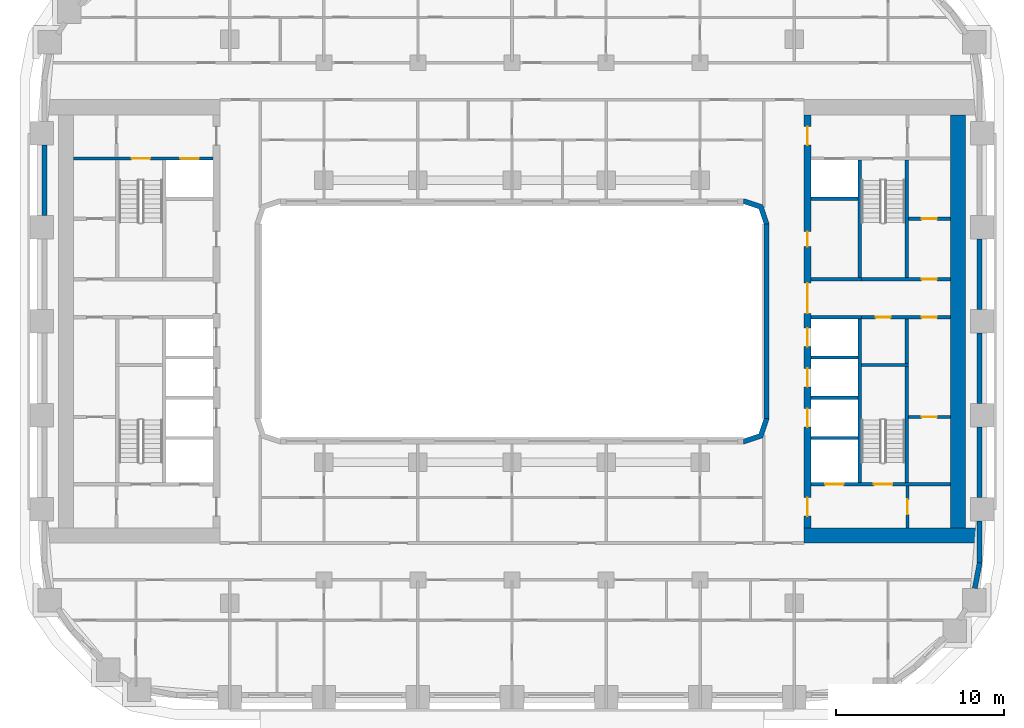
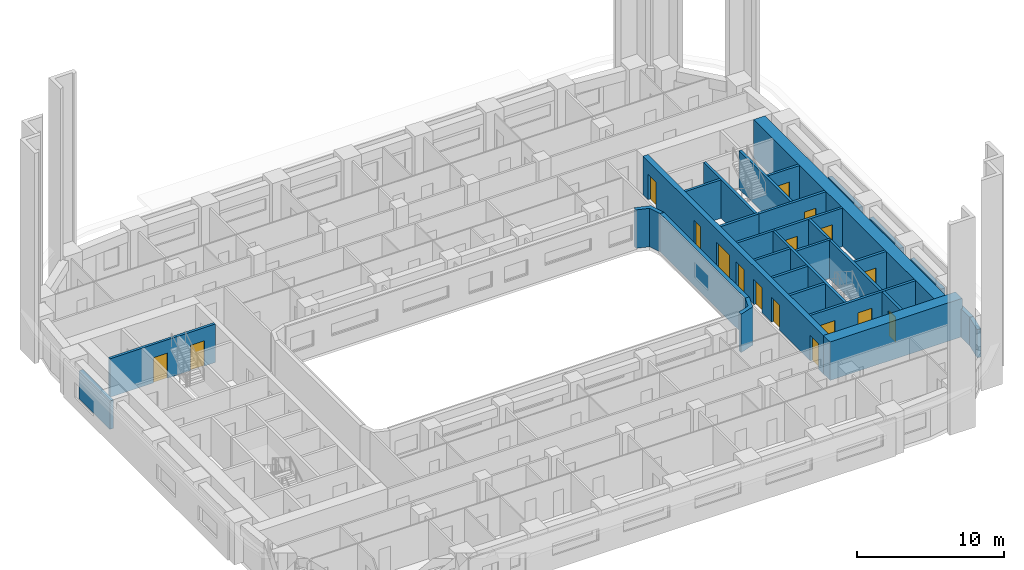
# One storey, part 6 of 22: 31 walls, 17 doors, 17 openings.
"""IFC4 building model written with IfcOpenShell, lengths in metres."""

import ifcopenshell
import ifcopenshell.guid

model = None  # the IFC model being written
_history = None  # IfcOwnerHistory: only IFC2X3 demands one
_inside = {}  # id of a spatial element -> (the spatial element, [elements in it])
_under = {}  # id of a project, library or spatial element -> (it, [spatial elements below it])
_declared = {}  # id of a project -> (the project, [libraries it declares])
_typed = {}  # id of a type object -> (the type object, [elements of that type])
_made_of = {}  # id of a material, layer set ... -> (it, [elements and type objects made of it])


def new_model(schema):
    """Start an empty IFC model of exactly this schema.

    Asked for "IFC4X3", IfcOpenShell would pick the latest addendum, in which some entities
    have other attributes; the version numbers below select the first issue.
    IFC2X3 requires an IfcOwnerHistory on every rooted entity: one is made here for all.
    """
    global model, _history
    if schema == "IFC4X3":
        model = ifcopenshell.file(schema_version=(4, 3, 0, 0))
    else:
        model = ifcopenshell.file(schema=schema)
    _inside.clear()
    _under.clear()
    _declared.clear()
    _typed.clear()
    _made_of.clear()
    _history = None
    if model.schema == "IFC2X3":
        org = make("IfcOrganization", Name="unknown")
        user = make(
            "IfcPersonAndOrganization",
            ThePerson=make("IfcPerson", FamilyName="unknown"),
            TheOrganization=org,
        )
        app = make(
            "IfcApplication",
            ApplicationDeveloper=org,
            Version="unknown",
            ApplicationFullName="unknown",
            ApplicationIdentifier="unknown",
        )
        _history = make(
            "IfcOwnerHistory",
            OwningUser=user,
            OwningApplication=app,
            ChangeAction="ADDED",
            CreationDate=0,
        )
    return model


def make(cls, **values):
    """One entity of the class cls with the attributes given. An attribute that is None is left unset."""
    return model.create_entity(
        cls, **{name: value for name, value in values.items() if value is not None}
    )


def rooted(cls, **values):
    """An entity with a GlobalId (a new one), such as an element, a storey or a relation."""
    return make(cls, GlobalId=ifcopenshell.guid.new(), OwnerHistory=_history, **values)


def si_unit(unit_type, name, prefix=None):
    """IfcSIUnit, for example si_unit("LENGTHUNIT", "METRE", prefix="MILLI")."""
    return make("IfcSIUnit", UnitType=unit_type, Prefix=prefix, Name=name)


def assignment(units):
    """IfcUnitAssignment: the units of a project."""
    return None if units is None else make("IfcUnitAssignment", Units=units)


def point(xyz):
    """IfcCartesianPoint."""
    return None if xyz is None else make("IfcCartesianPoint", Coordinates=xyz)


def direction(xyz):
    """IfcDirection."""
    return None if xyz is None else make("IfcDirection", DirectionRatios=xyz)


def frame(location, z_axis=None, x_axis=None):
    """IfcAxis2Placement3D, a coordinate frame: its origin and axes. An axis left out is left unset."""
    return make(
        "IfcAxis2Placement3D",
        Location=point(location),
        Axis=direction(z_axis),
        RefDirection=direction(x_axis),
    )


def frame_2d(location, x_axis=None):
    """IfcAxis2Placement2D, a coordinate frame in the plane: its origin and x axis."""
    return make(
        "IfcAxis2Placement2D", Location=point(location), RefDirection=direction(x_axis)
    )


def origin():
    """The frame at (0, 0, 0) with its axes left unset."""
    return frame((0.0, 0.0, 0.0))


def place(relative_to, where):
    """IfcLocalPlacement: puts the frame where relative to a parent placement (None: the world)."""
    return make(
        "IfcLocalPlacement", PlacementRelTo=relative_to, RelativePlacement=where
    )


def context(
    kind, dimensions, precision=None, world=None, true_north=None, identifier=None
):
    """IfcGeometricRepresentationContext, for example the 3D "Model" context."""
    return make(
        "IfcGeometricRepresentationContext",
        ContextIdentifier=identifier,
        ContextType=kind,
        CoordinateSpaceDimension=dimensions,
        Precision=precision,
        WorldCoordinateSystem=world,
        TrueNorth=true_north,
    )


def subcontext(parent, identifier, kind, view, scale=None):
    """IfcGeometricRepresentationSubContext, for example "Body" below "Model"."""
    return make(
        "IfcGeometricRepresentationSubContext",
        ContextIdentifier=identifier,
        ContextType=kind,
        ParentContext=parent,
        TargetScale=scale,
        TargetView=view,
    )


def project(units=None, contexts=None):
    """IfcProject with its units and contexts."""
    return rooted(
        "IfcProject",
        Name="project",
        RepresentationContexts=contexts,
        UnitsInContext=assignment(units),
    )


def spatial(cls, under=None, at=None, **own):
    """A site, building, storey or space (cls), placed at a placement, below another one or the project."""
    s = rooted(cls, ObjectPlacement=at, **own)
    if under is not None:
        _under.setdefault(under.id(), (under, []))[1].append(s)
    return s


def polyline(points):
    """IfcPolyline through the points."""
    return make("IfcPolyline", Points=[point(p) for p in points])


def profile(cls, at=None, kind="AREA", **sizes):
    """A parametric profile (cls). Its sizes go by their IFC names, for example OverallWidth=200.0."""
    return make(cls, ProfileType=kind, Position=at, **sizes)


def rectangle(**sizes):
    """IfcRectangleProfileDef."""
    return profile("IfcRectangleProfileDef", **sizes)


def outline(outer, holes=None, kind="AREA"):
    """IfcArbitraryClosedProfileDef: a profile drawn as a closed curve; with holes, ...WithVoids."""
    if holes is None:
        return make("IfcArbitraryClosedProfileDef", ProfileType=kind, OuterCurve=outer)
    return make(
        "IfcArbitraryProfileDefWithVoids",
        ProfileType=kind,
        OuterCurve=outer,
        InnerCurves=holes,
    )


def extrude(swept, where, along, depth):
    """IfcExtrudedAreaSolid: the profile swept, set in the frame where, extruded along a direction by depth."""
    return make(
        "IfcExtrudedAreaSolid",
        SweptArea=swept,
        Position=where,
        ExtrudedDirection=direction(along),
        Depth=depth,
    )


def shape(context_of_items, identifier, shape_type, items):
    """IfcShapeRepresentation: the items that make up one representation, for example the "Body"."""
    return make(
        "IfcShapeRepresentation",
        ContextOfItems=context_of_items,
        RepresentationIdentifier=identifier,
        RepresentationType=shape_type,
        Items=items,
    )


def material(Name=None, Category=None):
    """IfcMaterial."""
    return make("IfcMaterial", Name=Name, Category=Category)


def layer(
    of_material, thickness, ventilated=None, Name=None, Category=None, Priority=None
):
    """IfcMaterialLayer: one layer of a wall or slab, of a material (None: an air gap)."""
    return make(
        "IfcMaterialLayer",
        Material=of_material,
        LayerThickness=thickness,
        IsVentilated=ventilated,
        Name=Name,
        Category=Category,
        Priority=Priority,
    )


def layer_set(layers, Name=None):
    """IfcMaterialLayerSet."""
    return make("IfcMaterialLayerSet", MaterialLayers=layers, LayerSetName=Name)


def made_of(thing, what):
    """Note that an element or type object is made of a material, layer set ...; save() writes the relation."""
    if what is not None:
        _made_of.setdefault(what.id(), (what, []))[1].append(thing)
    return thing


def type_object(cls, material=None, **own):
    """A type object (cls), such as IfcWallType, which elements share."""
    return made_of(rooted(cls, **own), material)


def element(
    cls,
    number,
    at=None,
    inside=None,
    cuts=None,
    type_object=None,
    material=None,
    context=None,
    identifier="Body",
    shape_type=None,
    held_by="IfcProductDefinitionShape",
    body=None,
    shapes=None,
    **own,
):
    """One element of the class cls, such as IfcWall. Its Tag is "e" and its number.

    at: its placement. inside: the storey or other place that contains it. cuts: it is an
    opening in that element (IfcRelVoidsElement). A single representation is given by context,
    identifier, shape_type and body (its items); several are given by shapes. held_by: the class
    of the entity that holds the representations. save() writes the other relations.
    """
    e = rooted(cls, Tag="e%d" % number, ObjectPlacement=at, **own)
    if body is not None:
        shapes = [shape(context, identifier, shape_type, body)]
    if shapes is not None:
        e.Representation = make(held_by, Representations=shapes)
    if inside is not None:
        _inside.setdefault(inside.id(), (inside, []))[1].append(e)
    if cuts is not None:
        rooted(
            "IfcRelVoidsElement", RelatingBuildingElement=cuts, RelatedOpeningElement=e
        )
    if type_object is not None:
        _typed.setdefault(type_object.id(), (type_object, []))[1].append(e)
    return made_of(e, material)


def fill(opening, filler):
    """IfcRelFillsElement: the door or window that sits in an opening."""
    return rooted(
        "IfcRelFillsElement",
        RelatingOpeningElement=opening,
        RelatedBuildingElement=filler,
    )


def aggregate(whole, parts):
    """IfcRelAggregates: a whole, such as a stair, and the parts it consists of."""
    return rooted("IfcRelAggregates", RelatingObject=whole, RelatedObjects=parts)


def save(model, path):
    """Write the relations noted so far, then the file.

    IfcRelAggregates (storeys below a building ...), IfcRelContainedInSpatialStructure (elements
    in a storey), IfcRelDefinesByType, IfcRelAssociatesMaterial and IfcRelDeclares: one each for
    every whole, place, type object, material and project.
    """
    for whole, parts in _under.values():
        aggregate(whole, parts)
    for where, things in _inside.values():
        rooted(
            "IfcRelContainedInSpatialStructure",
            RelatedElements=things,
            RelatingStructure=where,
        )
    for kind, things in _typed.values():
        rooted("IfcRelDefinesByType", RelatedObjects=things, RelatingType=kind)
    for what, things in _made_of.values():
        rooted("IfcRelAssociatesMaterial", RelatedObjects=things, RelatingMaterial=what)
    for by, libraries in _declared.values():
        rooted("IfcRelDeclares", RelatingContext=by, RelatedDefinitions=libraries)
    model.write(path)


model = new_model("IFC4")

# Units and contexts
model_context = context("Model", 3, precision=1e-05, world=origin(), true_north=direction((0.0, 1.0)))
body_context = subcontext(model_context, "Body", "Model", "MODEL_VIEW")
ifc_project = project(units=[si_unit("LENGTHUNIT", "METRE"), si_unit("AREAUNIT", "SQUARE_METRE"), si_unit("VOLUMEUNIT", "CUBIC_METRE"), si_unit("PLANEANGLEUNIT", "RADIAN"), si_unit("MASSUNIT", "GRAM", prefix="KILO")], contexts=[model_context])

# Site, building, storey
site_placement = place(None, origin())
site = spatial("IfcSite", under=ifc_project, at=site_placement, CompositionType="ELEMENT")
building_placement = place(site_placement, origin())
building = spatial("IfcBuilding", under=site, at=building_placement, Name="Kiln Ring Residences", CompositionType="ELEMENT")
storey_placement = place(building_placement, frame((0.0, 0.0, 55.0)))
storey = spatial("IfcBuildingStorey", under=building, at=storey_placement, Name="L13", CompositionType="ELEMENT", Elevation=55.0)

# Wall
ifc_material_1 = material(Name="Gypsum board on steel studs", Category="steel")
ifc_layer_1 = layer(ifc_material_1, 0.199951171875)
ifc_layer_set_1 = layer_set([ifc_layer_1], Name="CORE-PARTITION-200")
wall_type_1 = type_object("IfcWallType", Name="CORE-PARTITION-200", PredefinedType="PARTITIONING", material=ifc_layer_set_1)
wall_1_placement = place(storey_placement, frame((23.5, -2.5, 0.0), z_axis=(0.0, 0.0, 1.0), x_axis=(0.0, 1.0, 0.0)))
element("IfcWall", 1, at=wall_1_placement, inside=storey, type_object=wall_type_1, Name="Core partition east L13 1", PredefinedType="PARTITIONING", context=body_context, shape_type="SweptSolid", body=[
    extrude(rectangle(XDim=2.64990234375, YDim=0.199951171875, at=frame_2d((1.324951171875, 0.0))), origin(), (0.0, 0.0, 1.0), 3.199951171875),
])

# Wall, openings, doors
wall_2_placement = place(storey_placement, frame((20.800048828125, 0.25, 0.0), z_axis=(0.0, 0.0, 1.0), x_axis=(1.0, 0.0, 0.0)))
wall_2 = element("IfcWall", 2, at=wall_2_placement, inside=storey, type_object=wall_type_1, Name="Core partition east L13 2", PredefinedType="PARTITIONING", context=body_context, shape_type="SweptSolid", body=[
    extrude(rectangle(XDim=5.300048828125, YDim=0.199951171875, at=frame_2d((2.64990234375, 0.0))), origin(), (0.0, 0.0, 1.0), 3.199951171875),
])
opening_1_placement = place(wall_2_placement, frame((0.85009765625, 0.0, 0.0)))
opening_1 = element("IfcOpeningElement", 3, at=opening_1_placement, cuts=wall_2, Name="Opening L13-CE14", PredefinedType="OPENING", context=body_context, shape_type="SweptSolid", body=[
    extrude(rectangle(XDim=0.89990234375, YDim=2.10009765625, at=frame_2d((0.449951171875, 1.050048828125))), frame((0.0, 0.10986328125, 0.0), z_axis=(0.0, -1.0, 0.0), x_axis=(1.0, 0.0, 0.0)), (0.0, 0.0, 1.0), 0.219970703125),
])
opening_2_placement = place(wall_2_placement, frame((3.60009765625, 0.0, 0.0)))
opening_2 = element("IfcOpeningElement", 4, at=opening_2_placement, cuts=wall_2, Name="Opening L13-CE16", PredefinedType="OPENING", context=body_context, shape_type="SweptSolid", body=[
    extrude(rectangle(XDim=0.89990234375, YDim=2.10009765625, at=frame_2d((0.449951171875, 1.050048828125))), frame((0.0, 0.10986328125, 0.0), z_axis=(0.0, -1.0, 0.0), x_axis=(1.0, 0.0, 0.0)), (0.0, 0.0, 1.0), 0.219970703125),
])
ifc_material_2 = material(Name="Steel door leaf", Category="steel")
door_type_1 = type_object("IfcDoorType", Name="CORE-DOOR-ROOM", OperationType="SINGLE_SWING_LEFT", PredefinedType="DOOR", material=ifc_material_2)
door_1_placement = place(opening_1_placement, origin())
door_1 = element("IfcDoor", 5, at=door_1_placement, inside=storey, type_object=door_type_1, Name="Housekeeping store L13-CE14", OperationType="SINGLE_SWING_LEFT", OverallHeight=2.10009765625, OverallWidth=0.89990234375, PredefinedType="DOOR", context=body_context, shape_type="SweptSolid", body=[
    extrude(rectangle(XDim=0.89990234375, YDim=2.10009765625, at=frame_2d((0.449951171875, 1.050048828125))), frame((0.0, 0.02490234375, 0.0), z_axis=(0.0, -1.0, 0.0), x_axis=(1.0, 0.0, 0.0)), (0.0, 0.0, 1.0), 0.050048828125),
])
fill(opening_1, door_1)
door_2_placement = place(opening_2_placement, origin())
door_2 = element("IfcDoor", 6, at=door_2_placement, inside=storey, type_object=door_type_1, Name="Battery room L13-CE16", OperationType="SINGLE_SWING_LEFT", OverallHeight=2.10009765625, OverallWidth=0.89990234375, PredefinedType="DOOR", context=body_context, shape_type="SweptSolid", body=[
    extrude(rectangle(XDim=0.89990234375, YDim=2.10009765625, at=frame_2d((0.449951171875, 1.050048828125))), frame((0.0, 0.02490234375, 0.0), z_axis=(0.0, -1.0, 0.0), x_axis=(1.0, 0.0, 0.0)), (0.0, 0.0, 1.0), 0.050048828125),
])
fill(opening_2, door_2)

# Wall, opening, door
wall_3_placement = place(storey_placement, frame((23.550048828125, -12.300048828125, 0.0), z_axis=(0.0, 0.0, 1.0), x_axis=(0.0, 1.0, 0.0)))
wall_3 = element("IfcWall", 7, at=wall_3_placement, inside=storey, type_object=wall_type_1, Name="Core partition east L13 4", PredefinedType="PARTITIONING", context=body_context, shape_type="SweptSolid", body=[
    extrude(rectangle(XDim=2.5, YDim=0.199951171875, at=frame_2d((1.25, 0.0))), origin(), (0.0, 0.0, 1.0), 3.199951171875),
])
opening_3_placement = place(wall_3_placement, frame((0.800048828125, 0.0, 0.0)))
opening_3 = element("IfcOpeningElement", 8, at=opening_3_placement, cuts=wall_3, Name="Opening L13-CE10", PredefinedType="OPENING", context=body_context, shape_type="SweptSolid", body=[
    extrude(rectangle(XDim=0.89990234375, YDim=2.10009765625, at=frame_2d((0.449951171875, 1.050048828125))), frame((0.0, 0.10986328125, 0.0), z_axis=(0.0, -1.0, 0.0), x_axis=(1.0, 0.0, 0.0)), (0.0, 0.0, 1.0), 0.219970703125),
])
door_3_placement = place(opening_3_placement, origin())
door_3 = element("IfcDoor", 9, at=door_3_placement, inside=storey, type_object=door_type_1, Name="Store L13-CE10", OperationType="SINGLE_SWING_LEFT", OverallHeight=2.10009765625, OverallWidth=0.89990234375, PredefinedType="DOOR", context=body_context, shape_type="SweptSolid", body=[
    extrude(rectangle(XDim=0.89990234375, YDim=2.10009765625, at=frame_2d((0.449951171875, 1.050048828125))), frame((0.0, 0.02490234375, 0.0), z_axis=(0.0, -1.0, 0.0), x_axis=(1.0, 0.0, 0.0)), (0.0, 0.0, 1.0), 0.050048828125),
])
fill(opening_3, door_3)

wall_4_placement = place(storey_placement, frame((23.60009765625, -5.699951171875, 0.0), z_axis=(0.0, 0.0, 1.0), x_axis=(1.0, 0.0, 0.0)))
wall_4 = element("IfcWall", 10, at=wall_4_placement, inside=storey, type_object=wall_type_1, Name="Core partition east L13 5", PredefinedType="PARTITIONING", context=body_context, shape_type="SweptSolid", body=[
    extrude(rectangle(XDim=2.5, YDim=0.199951171875, at=frame_2d((1.25, 0.0))), origin(), (0.0, 0.0, 1.0), 3.199951171875),
])
opening_4_placement = place(wall_4_placement, frame((0.800048828125, 0.0, 0.0)))
opening_4 = element("IfcOpeningElement", 11, at=opening_4_placement, cuts=wall_4, Name="Opening L13-CE15", PredefinedType="OPENING", context=body_context, shape_type="SweptSolid", body=[
    extrude(rectangle(XDim=0.89990234375, YDim=2.10009765625, at=frame_2d((0.449951171875, 1.050048828125))), frame((0.0, 0.10986328125, 0.0), z_axis=(0.0, -1.0, 0.0), x_axis=(1.0, 0.0, 0.0)), (0.0, 0.0, 1.0), 0.219970703125),
])
door_4_placement = place(opening_4_placement, origin())
door_4 = element("IfcDoor", 12, at=door_4_placement, inside=storey, type_object=door_type_1, Name="Battery room L13-CE15", OperationType="SINGLE_SWING_LEFT", OverallHeight=2.10009765625, OverallWidth=0.89990234375, PredefinedType="DOOR", context=body_context, shape_type="SweptSolid", body=[
    extrude(rectangle(XDim=0.89990234375, YDim=2.10009765625, at=frame_2d((0.449951171875, 1.050048828125))), frame((0.0, 0.02490234375, 0.0), z_axis=(0.0, -1.0, 0.0), x_axis=(1.0, 0.0, 0.0)), (0.0, 0.0, 1.0), 0.050048828125),
])
fill(opening_4, door_4)

wall_5_placement = place(storey_placement, frame((23.60009765625, 6.10009765625, 0.0), z_axis=(0.0, 0.0, 1.0), x_axis=(1.0, 0.0, 0.0)))
wall_5 = element("IfcWall", 13, at=wall_5_placement, inside=storey, type_object=wall_type_1, Name="Core partition east L13 6", PredefinedType="PARTITIONING", context=body_context, shape_type="SweptSolid", body=[
    extrude(rectangle(XDim=2.5, YDim=0.199951171875, at=frame_2d((1.25, 0.0))), origin(), (0.0, 0.0, 1.0), 3.199951171875),
])
opening_5_placement = place(wall_5_placement, frame((0.800048828125, 0.0, 0.0)))
opening_5 = element("IfcOpeningElement", 14, at=opening_5_placement, cuts=wall_5, Name="Opening L13-CE17", PredefinedType="OPENING", context=body_context, shape_type="SweptSolid", body=[
    extrude(rectangle(XDim=0.89990234375, YDim=2.10009765625, at=frame_2d((0.449951171875, 1.050048828125))), frame((0.0, 0.10986328125, 0.0), z_axis=(0.0, -1.0, 0.0), x_axis=(1.0, 0.0, 0.0)), (0.0, 0.0, 1.0), 0.219970703125),
])
door_5_placement = place(opening_5_placement, origin())
door_5 = element("IfcDoor", 15, at=door_5_placement, inside=storey, type_object=door_type_1, Name="Electrical plant room L13-CE17", OperationType="SINGLE_SWING_LEFT", OverallHeight=2.10009765625, OverallWidth=0.89990234375, PredefinedType="DOOR", context=body_context, shape_type="SweptSolid", body=[
    extrude(rectangle(XDim=0.89990234375, YDim=2.10009765625, at=frame_2d((0.449951171875, 1.050048828125))), frame((0.0, 0.02490234375, 0.0), z_axis=(0.0, -1.0, 0.0), x_axis=(1.0, 0.0, 0.0)), (0.0, 0.0, 1.0), 0.050048828125),
])
fill(opening_5, door_5)

# Walls
ifc_material_3 = material(Name="Gypsum shaft wall system")
ifc_layer_2 = layer(ifc_material_3, 0.199951171875)
ifc_layer_set_2 = layer_set([ifc_layer_2], Name="CORE-SHAFT-WALL-200")
wall_type_2 = type_object("IfcWallType", Name="CORE-SHAFT-WALL-200", PredefinedType="PARTITIONING", material=ifc_layer_set_2)
for number, where, z_axis, x_axis, name in (
    (16, (17.800048828125, -6.949951171875, 0.0), (0.0, 0.0, 1.0), (1.0, 0.0, 0.0), "Core partition east L13 7"),
    (17, (17.800048828125, -4.550048828125, 0.0), (0.0, 0.0, 1.0), (1.0, 0.0, 0.0), "Core partition east L13 8"),
    (18, (17.800048828125, -2.14990234375, 0.0), (0.0, 0.0, 1.0), (1.0, 0.0, 0.0), "Core partition east L13 9"),
):
    element("IfcWall", number, at=place(storey_placement, frame(where, z_axis=z_axis, x_axis=x_axis)), inside=storey, type_object=wall_type_2, Name=name, PredefinedType="PARTITIONING", context=body_context, shape_type="SweptSolid", body=[
        extrude(rectangle(XDim=2.800048828125, YDim=0.199951171875, at=frame_2d((1.39990234375, 0.0))), origin(), (0.0, 0.0, 1.0), 3.199951171875),
    ])
for number, where, z_axis, x_axis, name in (
    (19, (17.800048828125, 0.25, 0.0), (0.0, 0.0, 1.0), (1.0, 0.0, 0.0), "Core partition east L13 10"),
    (20, (17.800048828125, 2.5, 0.0), (0.0, 0.0, 1.0), (1.0, 0.0, 0.0), "Core partition east L13 11"),
):
    element("IfcWall", number, at=place(storey_placement, frame(where, z_axis=z_axis, x_axis=x_axis)), inside=storey, type_object=wall_type_2, Name=name, PredefinedType="PARTITIONING", context=body_context, shape_type="SweptSolid", body=[
        extrude(rectangle(XDim=3.0, YDim=0.199951171875, at=frame_2d((1.5, 0.0))), origin(), (0.0, 0.0, 1.0), 3.199951171875),
    ])
wall_6_placement = place(storey_placement, frame((17.800048828125, 7.300048828125, 0.0), z_axis=(0.0, 0.0, 1.0), x_axis=(1.0, 0.0, 0.0)))
element("IfcWall", 21, at=wall_6_placement, inside=storey, type_object=wall_type_2, Name="Core partition east L13 12", PredefinedType="PARTITIONING", context=body_context, shape_type="SweptSolid", body=[
    extrude(rectangle(XDim=2.800048828125, YDim=0.199951171875, at=frame_2d((1.39990234375, 0.0))), origin(), (0.0, 0.0, 1.0), 3.199951171875),
])

# Wall, openings, doors
ifc_material_4 = material(Name="Concrete C40/50", Category="concrete")
ifc_layer_3 = layer(ifc_material_4, 0.199951171875)
ifc_layer_set_3 = layer_set([ifc_layer_3], Name="CORE-WALL-RC200")
wall_type_3 = type_object("IfcWallType", Name="CORE-WALL-RC200", PredefinedType="SHEAR", material=ifc_layer_set_3)
wall_7_placement = place(storey_placement, frame((-17.800048828125, 9.699951171875, 0.0), z_axis=(0.0, 0.0, 1.0), x_axis=(-1.0, 0.0, 0.0)))
wall_7 = element("IfcWall", 22, at=wall_7_placement, inside=storey, type_object=wall_type_3, Name="Core wall west L13 9", PredefinedType="SHEAR", context=body_context, shape_type="SweptSolid", body=[
    extrude(rectangle(XDim=8.300048828125, YDim=0.199951171875, at=frame_2d((4.14990234375, 0.0))), origin(), (0.0, 0.0, 1.0), 3.199951171875),
])
opening_6_placement = place(wall_7_placement, frame((0.85009765625, 0.0, 0.0)))
opening_6 = element("IfcOpeningElement", 23, at=opening_6_placement, cuts=wall_7, Name="Opening L13-CW06", PredefinedType="OPENING", context=body_context, shape_type="SweptSolid", body=[
    extrude(rectangle(XDim=1.10009765625, YDim=2.10009765625, at=frame_2d((0.550048828125, 1.050048828125))), frame((0.0, 0.10986328125, 0.0), z_axis=(0.0, -1.0, 0.0), x_axis=(1.0, 0.0, 0.0)), (0.0, 0.0, 1.0), 0.219970703125),
])
opening_7_placement = place(wall_7_placement, frame((3.75, 0.0, 0.0)))
opening_7 = element("IfcOpeningElement", 24, at=opening_7_placement, cuts=wall_7, Name="Opening L13-CW11", PredefinedType="OPENING", context=body_context, shape_type="SweptSolid", body=[
    extrude(rectangle(XDim=1.10009765625, YDim=2.10009765625, at=frame_2d((0.550048828125, 1.050048828125))), frame((0.0, 0.10986328125, 0.0), z_axis=(0.0, -1.0, 0.0), x_axis=(1.0, 0.0, 0.0)), (0.0, 0.0, 1.0), 0.219970703125),
])
ifc_material_5 = material(Name="Steel door leaf", Category="steel")
door_type_2 = type_object("IfcDoorType", Name="CORE-DOOR-LD", OperationType="DOUBLE_DOOR_SLIDING", PredefinedType="DOOR", material=ifc_material_5)
door_6_placement = place(opening_6_placement, origin())
door_6 = element("IfcDoor", 25, at=door_6_placement, inside=storey, type_object=door_type_2, Name="LD W-FF L13-CW06", OperationType="DOUBLE_DOOR_SLIDING", OverallHeight=2.10009765625, OverallWidth=1.10009765625, PredefinedType="DOOR", context=body_context, shape_type="SweptSolid", body=[
    extrude(rectangle(XDim=1.10009765625, YDim=2.10009765625, at=frame_2d((0.550048828125, 1.050048828125))), frame((0.0, 0.02490234375, 0.0), z_axis=(0.0, -1.0, 0.0), x_axis=(1.0, 0.0, 0.0)), (0.0, 0.0, 1.0), 0.050048828125),
])
fill(opening_6, door_6)
ifc_material_6 = material(Name="Steel door leaf", Category="steel")
door_type_3 = type_object("IfcDoorType", Name="CORE-DOOR-STAIR", OperationType="SINGLE_SWING_LEFT", PredefinedType="DOOR", material=ifc_material_6)
door_7_placement = place(opening_7_placement, origin())
door_7 = element("IfcDoor", 26, at=door_7_placement, inside=storey, type_object=door_type_3, Name="Stair W-STN L13-CW11", OperationType="SINGLE_SWING_LEFT", OverallHeight=2.10009765625, OverallWidth=1.10009765625, PredefinedType="DOOR", context=body_context, shape_type="SweptSolid", body=[
    extrude(rectangle(XDim=1.10009765625, YDim=2.10009765625, at=frame_2d((0.550048828125, 1.050048828125))), frame((0.0, 0.02490234375, 0.0), z_axis=(0.0, -1.0, 0.0), x_axis=(1.0, 0.0, 0.0)), (0.0, 0.0, 1.0), 0.050048828125),
])
fill(opening_7, door_7)

# Walls
wall_8_placement = place(storey_placement, frame((20.699951171875, 2.60009765625, 0.0), z_axis=(0.0, 0.0, 1.0), x_axis=(0.0, 1.0, 0.0)))
element("IfcWall", 27, at=wall_8_placement, inside=storey, type_object=wall_type_3, Name="Core wall east L13 1", PredefinedType="SHEAR", context=body_context, shape_type="SweptSolid", body=[
    extrude(rectangle(XDim=7.0, YDim=0.199951171875, at=frame_2d((3.5, 0.0))), origin(), (0.0, 0.0, 1.0), 3.199951171875),
])
wall_9_placement = place(storey_placement, frame((20.699951171875, -9.60009765625, 0.0), z_axis=(0.0, 0.0, 1.0), x_axis=(0.0, 1.0, 0.0)))
element("IfcWall", 28, at=wall_9_placement, inside=storey, type_object=wall_type_3, Name="Core wall east L13 2", PredefinedType="SHEAR", context=body_context, shape_type="SweptSolid", body=[
    extrude(rectangle(XDim=9.75, YDim=0.199951171875, at=frame_2d((4.875, 0.0))), origin(), (0.0, 0.0, 1.0), 3.199951171875),
])

# Wall, opening, door
wall_10_placement = place(storey_placement, frame((20.800048828125, 2.5, 0.0), z_axis=(0.0, 0.0, 1.0), x_axis=(1.0, 0.0, 0.0)))
wall_10 = element("IfcWall", 29, at=wall_10_placement, inside=storey, type_object=wall_type_3, Name="Core wall east L13 3", PredefinedType="SHEAR", context=body_context, shape_type="SweptSolid", body=[
    extrude(rectangle(XDim=5.300048828125, YDim=0.199951171875, at=frame_2d((2.64990234375, 0.0))), origin(), (0.0, 0.0, 1.0), 3.199951171875),
])
opening_8_placement = place(wall_10_placement, frame((3.60009765625, 0.0, 0.0)))
opening_8 = element("IfcOpeningElement", 30, at=opening_8_placement, cuts=wall_10, Name="Opening L13-CE18", PredefinedType="OPENING", context=body_context, shape_type="SweptSolid", body=[
    extrude(rectangle(XDim=0.89990234375, YDim=2.10009765625, at=frame_2d((0.449951171875, 1.050048828125))), frame((0.0, 0.10986328125, 0.0), z_axis=(0.0, -1.0, 0.0), x_axis=(1.0, 0.0, 0.0)), (0.0, 0.0, 1.0), 0.219970703125),
])
door_8_placement = place(opening_8_placement, origin())
door_8 = element("IfcDoor", 31, at=door_8_placement, inside=storey, type_object=door_type_1, Name="Comms room L13-CE18", OperationType="SINGLE_SWING_RIGHT", OverallHeight=2.10009765625, OverallWidth=0.89990234375, PredefinedType="DOOR", context=body_context, shape_type="SweptSolid", body=[
    extrude(rectangle(XDim=0.89990234375, YDim=2.10009765625, at=frame_2d((0.449951171875, 1.050048828125))), frame((0.0, 0.02490234375, 0.0), z_axis=(0.0, -1.0, 0.0), x_axis=(1.0, 0.0, 0.0)), (0.0, 0.0, 1.0), 0.050048828125),
])
fill(opening_8, door_8)

# Wall, openings, doors
wall_11_placement = place(storey_placement, frame((17.800048828125, -9.699951171875, 0.0), z_axis=(0.0, 0.0, 1.0), x_axis=(1.0, 0.0, 0.0)))
wall_11 = element("IfcWall", 32, at=wall_11_placement, inside=storey, type_object=wall_type_3, Name="Core wall east L13 8", PredefinedType="SHEAR", context=body_context, shape_type="SweptSolid", body=[
    extrude(rectangle(XDim=8.300048828125, YDim=0.199951171875, at=frame_2d((4.14990234375, 0.0))), origin(), (0.0, 0.0, 1.0), 3.199951171875),
])
opening_9_placement = place(wall_11_placement, frame((0.85009765625, 0.0, 0.0)))
opening_9 = element("IfcOpeningElement", 33, at=opening_9_placement, cuts=wall_11, Name="Opening L13-CE01", PredefinedType="OPENING", context=body_context, shape_type="SweptSolid", body=[
    extrude(rectangle(XDim=1.10009765625, YDim=2.10009765625, at=frame_2d((0.550048828125, 1.050048828125))), frame((0.0, 0.10986328125, 0.0), z_axis=(0.0, -1.0, 0.0), x_axis=(1.0, 0.0, 0.0)), (0.0, 0.0, 1.0), 0.219970703125),
])
opening_10_placement = place(wall_11_placement, frame((3.75, 0.0, 0.0)))
opening_10 = element("IfcOpeningElement", 34, at=opening_10_placement, cuts=wall_11, Name="Opening L13-CE12", PredefinedType="OPENING", context=body_context, shape_type="SweptSolid", body=[
    extrude(rectangle(XDim=1.10009765625, YDim=2.10009765625, at=frame_2d((0.550048828125, 1.050048828125))), frame((0.0, 0.10986328125, 0.0), z_axis=(0.0, -1.0, 0.0), x_axis=(1.0, 0.0, 0.0)), (0.0, 0.0, 1.0), 0.219970703125),
])
door_9_placement = place(opening_9_placement, origin())
door_9 = element("IfcDoor", 35, at=door_9_placement, inside=storey, type_object=door_type_2, Name="LD E-SV L13-CE01", OperationType="DOUBLE_DOOR_SLIDING", OverallHeight=2.10009765625, OverallWidth=1.10009765625, PredefinedType="DOOR", context=body_context, shape_type="SweptSolid", body=[
    extrude(rectangle(XDim=1.10009765625, YDim=2.10009765625, at=frame_2d((0.550048828125, 1.050048828125))), frame((0.0, 0.02490234375, 0.0), z_axis=(0.0, -1.0, 0.0), x_axis=(1.0, 0.0, 0.0)), (0.0, 0.0, 1.0), 0.050048828125),
])
fill(opening_9, door_9)
door_10_placement = place(opening_10_placement, origin())
door_10 = element("IfcDoor", 36, at=door_10_placement, inside=storey, type_object=door_type_3, Name="Stair E-STS L13-CE12", OperationType="SINGLE_SWING_RIGHT", OverallHeight=2.10009765625, OverallWidth=1.10009765625, PredefinedType="DOOR", context=body_context, shape_type="SweptSolid", body=[
    extrude(rectangle(XDim=1.10009765625, YDim=2.10009765625, at=frame_2d((0.550048828125, 1.050048828125))), frame((0.0, 0.02490234375, 0.0), z_axis=(0.0, -1.0, 0.0), x_axis=(1.0, 0.0, 0.0)), (0.0, 0.0, 1.0), 0.050048828125),
])
fill(opening_10, door_10)

# Walls
wall_12_placement = place(storey_placement, frame((23.5, 2.60009765625, 0.0), z_axis=(0.0, 0.0, 1.0), x_axis=(0.0, 1.0, 0.0)))
element("IfcWall", 37, at=wall_12_placement, inside=storey, type_object=wall_type_3, Name="Core wall east L13 10", PredefinedType="SHEAR", context=body_context, shape_type="SweptSolid", body=[
    extrude(rectangle(XDim=7.0, YDim=0.199951171875, at=frame_2d((3.5, 0.0))), origin(), (0.0, 0.0, 1.0), 3.199951171875),
])
wall_13_placement = place(storey_placement, frame((23.5, -9.60009765625, 0.0), z_axis=(0.0, 0.0, 1.0), x_axis=(0.0, 1.0, 0.0)))
element("IfcWall", 38, at=wall_13_placement, inside=storey, type_object=wall_type_3, Name="Core wall east L13 11", PredefinedType="SHEAR", context=body_context, shape_type="SweptSolid", body=[
    extrude(rectangle(XDim=6.900146484375, YDim=0.199951171875, at=frame_2d((3.4501953125, 0.0))), origin(), (0.0, 0.0, 1.0), 3.199951171875),
])
wall_14_placement = place(storey_placement, frame((20.800048828125, -2.60009765625, 0.0), z_axis=(0.0, 0.0, 1.0), x_axis=(1.0, 0.0, 0.0)))
element("IfcWall", 39, at=wall_14_placement, inside=storey, type_object=wall_type_3, Name="Core wall east L13 12", PredefinedType="SHEAR", context=body_context, shape_type="SweptSolid", body=[
    extrude(rectangle(XDim=2.800048828125, YDim=0.199951171875, at=frame_2d((1.39990234375, 0.0))), origin(), (0.0, 0.0, 1.0), 3.199951171875),
])

# Wall, openings, doors
ifc_material_7 = material(Name="Concrete C60/75", Category="concrete")
ifc_layer_4 = layer(ifc_material_7, 0.39990234375)
ifc_layer_set_4 = layer_set([ifc_layer_4], Name="CORE-WALL-RC400")
wall_type_4 = type_object("IfcWallType", Name="CORE-WALL-RC400", PredefinedType="SHEAR", material=ifc_layer_set_4)
wall_15_placement = place(storey_placement, frame((17.60009765625, -12.300048828125, 0.0), z_axis=(0.0, 0.0, 1.0), x_axis=(0.0, 1.0, 0.0)))
wall_15 = element("IfcWall", 40, at=wall_15_placement, inside=storey, type_object=wall_type_4, Name="Core wall east L13 6", PredefinedType="SHEAR", context=body_context, shape_type="SweptSolid", body=[
    extrude(rectangle(XDim=24.60009765625, YDim=0.39990234375, at=frame_2d((12.300048828125, 0.0))), origin(), (0.0, 0.0, 1.0), 3.199951171875),
])
opening_11_placement = place(wall_15_placement, frame((6.0, 0.0, 0.0)))
opening_11 = element("IfcOpeningElement", 41, at=opening_11_placement, cuts=wall_15, Name="Opening L13-CE02", PredefinedType="OPENING", context=body_context, shape_type="SweptSolid", body=[
    extrude(rectangle(XDim=1.10009765625, YDim=2.10009765625, at=frame_2d((0.550048828125, 1.050048828125))), frame((0.0, 0.2099609375, 0.0), z_axis=(0.0, -1.0, 0.0), x_axis=(1.0, 0.0, 0.0)), (0.0, 0.0, 1.0), 0.419921875),
])
opening_12_placement = place(wall_15_placement, frame((8.39990234375, 0.0, 0.0)))
opening_12 = element("IfcOpeningElement", 42, at=opening_12_placement, cuts=wall_15, Name="Opening L13-CE03", PredefinedType="OPENING", context=body_context, shape_type="SweptSolid", body=[
    extrude(rectangle(XDim=1.10009765625, YDim=2.10009765625, at=frame_2d((0.550048828125, 1.050048828125))), frame((0.0, 0.2099609375, 0.0), z_axis=(0.0, -1.0, 0.0), x_axis=(1.0, 0.0, 0.0)), (0.0, 0.0, 1.0), 0.419921875),
])
opening_13_placement = place(wall_15_placement, frame((10.800048828125, 0.0, 0.0)))
opening_13 = element("IfcOpeningElement", 43, at=opening_13_placement, cuts=wall_15, Name="Opening L13-CE04", PredefinedType="OPENING", context=body_context, shape_type="SweptSolid", body=[
    extrude(rectangle(XDim=1.10009765625, YDim=2.10009765625, at=frame_2d((0.550048828125, 1.050048828125))), frame((0.0, 0.2099609375, 0.0), z_axis=(0.0, -1.0, 0.0), x_axis=(1.0, 0.0, 0.0)), (0.0, 0.0, 1.0), 0.419921875),
])
opening_14_placement = place(wall_15_placement, frame((16.75, 0.0, 0.0)))
opening_14 = element("IfcOpeningElement", 44, at=opening_14_placement, cuts=wall_15, Name="Opening L13-CE05", PredefinedType="OPENING", context=body_context, shape_type="SweptSolid", body=[
    extrude(rectangle(XDim=0.89990234375, YDim=2.10009765625, at=frame_2d((0.449951171875, 1.050048828125))), frame((0.0, 0.2099609375, 0.0), z_axis=(0.0, -1.0, 0.0), x_axis=(1.0, 0.0, 0.0)), (0.0, 0.0, 1.0), 0.419921875),
])
opening_15_placement = place(wall_15_placement, frame((22.800048828125, 0.0, 0.0)))
opening_15 = element("IfcOpeningElement", 45, at=opening_15_placement, cuts=wall_15, Name="Opening L13-CE07", PredefinedType="OPENING", context=body_context, shape_type="SweptSolid", body=[
    extrude(rectangle(XDim=1.10009765625, YDim=2.10009765625, at=frame_2d((0.550048828125, 1.050048828125))), frame((0.0, 0.2099609375, 0.0), z_axis=(0.0, -1.0, 0.0), x_axis=(1.0, 0.0, 0.0)), (0.0, 0.0, 1.0), 0.419921875),
])
opening_16_placement = place(wall_15_placement, frame((0.699951171875, 0.0, 0.0)))
opening_16 = element("IfcOpeningElement", 46, at=opening_16_placement, cuts=wall_15, Name="Opening L13-CE08", PredefinedType="OPENING", context=body_context, shape_type="SweptSolid", body=[
    extrude(rectangle(XDim=1.10009765625, YDim=2.10009765625, at=frame_2d((0.550048828125, 1.050048828125))), frame((0.0, 0.2099609375, 0.0), z_axis=(0.0, -1.0, 0.0), x_axis=(1.0, 0.0, 0.0)), (0.0, 0.0, 1.0), 0.419921875),
])
opening_17_placement = place(wall_15_placement, frame((12.77490234375, 0.0, 0.0)))
opening_17 = element("IfcOpeningElement", 47, at=opening_17_placement, cuts=wall_15, Name="Opening L13-CE13", PredefinedType="OPENING", context=body_context, shape_type="SweptSolid", body=[
    extrude(rectangle(XDim=1.800048828125, YDim=2.10009765625, at=frame_2d((0.89990234375, 1.050048828125))), frame((0.0, 0.2099609375, 0.0), z_axis=(0.0, -1.0, 0.0), x_axis=(1.0, 0.0, 0.0)), (0.0, 0.0, 1.0), 0.419921875),
])
door_11_placement = place(opening_11_placement, origin())
door_11 = element("IfcDoor", 48, at=door_11_placement, inside=storey, type_object=door_type_2, Name="LD E-L1 L13-CE02", OperationType="DOUBLE_DOOR_SLIDING", OverallHeight=2.10009765625, OverallWidth=1.10009765625, PredefinedType="DOOR", context=body_context, shape_type="SweptSolid", body=[
    extrude(rectangle(XDim=1.10009765625, YDim=2.10009765625, at=frame_2d((0.550048828125, 1.050048828125))), frame((0.0, 0.02490234375, 0.0), z_axis=(0.0, -1.0, 0.0), x_axis=(1.0, 0.0, 0.0)), (0.0, 0.0, 1.0), 0.050048828125),
])
fill(opening_11, door_11)
door_12_placement = place(opening_12_placement, origin())
door_12 = element("IfcDoor", 49, at=door_12_placement, inside=storey, type_object=door_type_2, Name="LD E-L2 L13-CE03", OperationType="DOUBLE_DOOR_SLIDING", OverallHeight=2.10009765625, OverallWidth=1.10009765625, PredefinedType="DOOR", context=body_context, shape_type="SweptSolid", body=[
    extrude(rectangle(XDim=1.10009765625, YDim=2.10009765625, at=frame_2d((0.550048828125, 1.050048828125))), frame((0.0, 0.02490234375, 0.0), z_axis=(0.0, -1.0, 0.0), x_axis=(1.0, 0.0, 0.0)), (0.0, 0.0, 1.0), 0.050048828125),
])
fill(opening_12, door_12)
door_13_placement = place(opening_13_placement, origin())
door_13 = element("IfcDoor", 50, at=door_13_placement, inside=storey, type_object=door_type_2, Name="LD E-L3 L13-CE04", OperationType="DOUBLE_DOOR_SLIDING", OverallHeight=2.10009765625, OverallWidth=1.10009765625, PredefinedType="DOOR", context=body_context, shape_type="SweptSolid", body=[
    extrude(rectangle(XDim=1.10009765625, YDim=2.10009765625, at=frame_2d((0.550048828125, 1.050048828125))), frame((0.0, 0.02490234375, 0.0), z_axis=(0.0, -1.0, 0.0), x_axis=(1.0, 0.0, 0.0)), (0.0, 0.0, 1.0), 0.050048828125),
])
fill(opening_13, door_13)
ifc_material_8 = material(Name="Steel door leaf", Category="steel")
door_type_4 = type_object("IfcDoorType", Name="CORE-DOOR-LOBBY", OperationType="SINGLE_SWING_LEFT", PredefinedType="DOOR", material=ifc_material_8)
door_14_placement = place(opening_15_placement, origin())
door_14 = element("IfcDoor", 51, at=door_14_placement, inside=storey, type_object=door_type_4, Name="FFL L13-CE07", OperationType="SINGLE_SWING_LEFT", OverallHeight=2.10009765625, OverallWidth=1.10009765625, PredefinedType="DOOR", context=body_context, shape_type="SweptSolid", body=[
    extrude(rectangle(XDim=1.10009765625, YDim=2.10009765625, at=frame_2d((0.550048828125, 1.050048828125))), frame((0.0, 0.02490234375, 0.0), z_axis=(0.0, -1.0, 0.0), x_axis=(1.0, 0.0, 0.0)), (0.0, 0.0, 1.0), 0.050048828125),
])
fill(opening_15, door_14)
door_15_placement = place(opening_16_placement, origin())
door_15 = element("IfcDoor", 52, at=door_15_placement, inside=storey, type_object=door_type_4, Name="SVL L13-CE08", OperationType="SINGLE_SWING_RIGHT", OverallHeight=2.10009765625, OverallWidth=1.10009765625, PredefinedType="DOOR", context=body_context, shape_type="SweptSolid", body=[
    extrude(rectangle(XDim=1.10009765625, YDim=2.10009765625, at=frame_2d((0.550048828125, 1.050048828125))), frame((0.0, 0.02490234375, 0.0), z_axis=(0.0, -1.0, 0.0), x_axis=(1.0, 0.0, 0.0)), (0.0, 0.0, 1.0), 0.050048828125),
])
fill(opening_16, door_15)
ifc_material_9 = material(Name="Steel door leaf", Category="steel")
door_type_5 = type_object("IfcDoorType", Name="CORE-DOOR-PASS", OperationType="DOUBLE_DOOR_SINGLE_SWING", PredefinedType="DOOR", material=ifc_material_9)
door_16_placement = place(opening_17_placement, origin())
door_16 = element("IfcDoor", 53, at=door_16_placement, inside=storey, type_object=door_type_5, Name="Core passage L13-CE13", OperationType="DOUBLE_DOOR_SINGLE_SWING", OverallHeight=2.10009765625, OverallWidth=1.800048828125, PredefinedType="DOOR", context=body_context, shape_type="SweptSolid", body=[
    extrude(rectangle(XDim=1.800048828125, YDim=2.10009765625, at=frame_2d((0.89990234375, 1.050048828125))), frame((0.0, 0.02490234375, 0.0), z_axis=(0.0, -1.0, 0.0), x_axis=(1.0, 0.0, 0.0)), (0.0, 0.0, 1.0), 0.050048828125),
])
fill(opening_17, door_16)
door_17_placement = place(opening_14_placement, origin())
door_17 = element("IfcDoor", 54, at=door_17_placement, inside=storey, type_object=door_type_1, Name="Locker store L13-CE05", OperationType="SINGLE_SWING_RIGHT", OverallHeight=2.10009765625, OverallWidth=0.89990234375, PredefinedType="DOOR", context=body_context, shape_type="SweptSolid", body=[
    extrude(rectangle(XDim=0.89990234375, YDim=2.10009765625, at=frame_2d((0.449951171875, 1.050048828125))), frame((0.0, 0.02490234375, 0.0), z_axis=(0.0, -1.0, 0.0), x_axis=(1.0, 0.0, 0.0)), (0.0, 0.0, 1.0), 0.050048828125),
])
fill(opening_14, door_17)

# Walls
ifc_material_10 = material(Name="Concrete C60/75", Category="concrete")
ifc_layer_5 = layer(ifc_material_10, 0.89990234375)
ifc_layer_set_5 = layer_set([ifc_layer_5], Name="CORE-WALL-RC900")
wall_type_5 = type_object("IfcWallType", Name="CORE-WALL-RC900", PredefinedType="SHEAR", material=ifc_layer_set_5)
wall_16_placement = place(storey_placement, frame((17.39990234375, -12.75, 0.0), z_axis=(0.0, 0.0, 1.0), x_axis=(1.0, 0.0, 0.0)))
element("IfcWall", 55, at=wall_16_placement, inside=storey, type_object=wall_type_5, Name="Core wall east L13 5", PredefinedType="SHEAR", context=body_context, shape_type="SweptSolid", body=[
    extrude(rectangle(XDim=10.400146484375, YDim=0.89990234375, at=frame_2d((5.2001953125, 0.0))), origin(), (0.0, 0.0, 1.0), 3.199951171875),
])
wall_17_placement = place(storey_placement, frame((26.550048828125, -12.300048828125, 0.0), z_axis=(0.0, 0.0, 1.0), x_axis=(0.0, 1.0, 0.0)))
element("IfcWall", 56, at=wall_17_placement, inside=storey, type_object=wall_type_5, Name="Core wall east L13 7", PredefinedType="SHEAR", context=body_context, shape_type="SweptSolid", body=[
    extrude(rectangle(XDim=24.60009765625, YDim=0.89990234375, at=frame_2d((12.300048828125, 0.0))), origin(), (0.0, 0.0, 1.0), 3.199951171875),
])
ifc_material_11 = material(Name="Brick masonry, dark clay brick", Category="masonry")
ifc_layer_6 = layer(ifc_material_11, 0.300048828125)
ifc_layer_set_6 = layer_set([ifc_layer_6], Name="EW-300 BRICK WALL")
wall_type_6 = type_object("IfcWallType", Name="EW-300 BRICK WALL", PredefinedType="SOLIDWALL", material=ifc_layer_set_6)
wall_18_placement = place(storey_placement, frame((27.56103515625, -15.900390625, 0.0), z_axis=(0.0, 0.0, 1.0), x_axis=(0.187328386968, 0.982297345734, 0.0)))
element("IfcWall", 57, at=wall_18_placement, inside=storey, type_object=wall_type_6, Name="Facade wall L13 16", PredefinedType="SOLIDWALL", context=body_context, shape_type="SweptSolid", body=[
    extrude(rectangle(XDim=1.55615234375, YDim=0.300048828125, at=frame_2d((0.778076171875, 0.0))), origin(), (0.0, 0.0, 1.0), 2.35009765625),
])
wall_19_placement = place(storey_placement, frame((27.85009765625, -14.39990234375, 0.0), z_axis=(0.0, 0.0, 1.0), x_axis=(0.0, 1.0, 0.0)))
element("IfcWall", 58, at=wall_19_placement, inside=storey, type_object=wall_type_6, Name="Facade wall L13 17", PredefinedType="SOLIDWALL", context=body_context, shape_type="SweptSolid", body=[
    extrude(rectangle(XDim=2.5, YDim=0.300048828125, at=frame_2d((1.25, 0.0))), origin(), (0.0, 0.0, 1.0), 2.35009765625),
])
for number, where, z_axis, x_axis, name in (
    (59, (27.85009765625, -10.5, 0.0), (0.0, 0.0, 1.0), (0.0, 1.0, 0.0), "Facade wall L13 18"),
    (60, (27.85009765625, -4.89990234375, 0.0), (0.0, 0.0, 1.0), (0.0, 1.0, 0.0), "Facade wall L13 19"),
    (61, (27.85009765625, 0.699951171875, 0.0), (0.0, 0.0, 1.0), (0.0, 1.0, 0.0), "Facade wall L13 20"),
    (62, (-27.85009765625, 10.5, 0.0), (0.0, 0.0, 1.0), (0.0, -1.0, 0.0), "Facade wall L13 42"),
):
    element("IfcWall", number, at=place(storey_placement, frame(where, z_axis=z_axis, x_axis=x_axis)), inside=storey, type_object=wall_type_6, Name=name, PredefinedType="SOLIDWALL", context=body_context, shape_type="SweptSolid", body=[
        extrude(rectangle(XDim=4.199951171875, YDim=0.300048828125, at=frame_2d((2.10009765625, 0.0))), origin(), (0.0, 0.0, 1.0), 2.35009765625),
    ])
wall_20_placement = place(storey_placement, frame((15.14990234375, 5.800048828125, 0.0), z_axis=(0.0, 0.0, 1.0), x_axis=(0.0, -1.0, 0.0)))
element("IfcWall", 63, at=wall_20_placement, inside=storey, type_object=wall_type_6, Name="Facade wall L13 51", PredefinedType="SOLIDWALL", context=body_context, shape_type="SweptSolid", body=[
    extrude(rectangle(XDim=11.60009765625, YDim=0.300048828125, at=frame_2d((5.800048828125, 0.0))), origin(), (0.0, 0.0, 1.0), 3.199951171875),
])
placement = place(storey_placement, origin())
element("IfcWall", 64, at=placement, inside=storey, type_object=wall_type_6, Name="Corner wall L13 2", PredefinedType="SOLIDWALL", context=body_context, shape_type="SweptSolid", body=[
    extrude(outline(polyline([(14.937255859375, 6.937255859375), (13.8486328125, 7.300048828125), (13.800048828125, 7.300048828125), (13.800048828125, 7.0), (14.699951171875, 6.699951171875), (15.0, 5.800048828125), (15.300048828125, 5.800048828125), (15.300048828125, 5.8486328125), (14.937255859375, 6.937255859375)])), origin(), (0.0, 0.0, 1.0), 3.199951171875),
])
element("IfcWall", 65, at=placement, inside=storey, type_object=wall_type_6, Name="Corner wall L13 3", PredefinedType="SOLIDWALL", context=body_context, shape_type="SweptSolid", body=[
    extrude(outline(polyline([(14.937255859375, -6.937255859375), (15.300048828125, -5.8486328125), (15.300048828125, -5.800048828125), (15.0, -5.800048828125), (14.699951171875, -6.699951171875), (13.800048828125, -7.0), (13.800048828125, -7.300048828125), (13.8486328125, -7.300048828125), (14.937255859375, -6.937255859375)])), origin(), (0.0, 0.0, 1.0), 3.199951171875),
])

save(model, "model.ifc")
